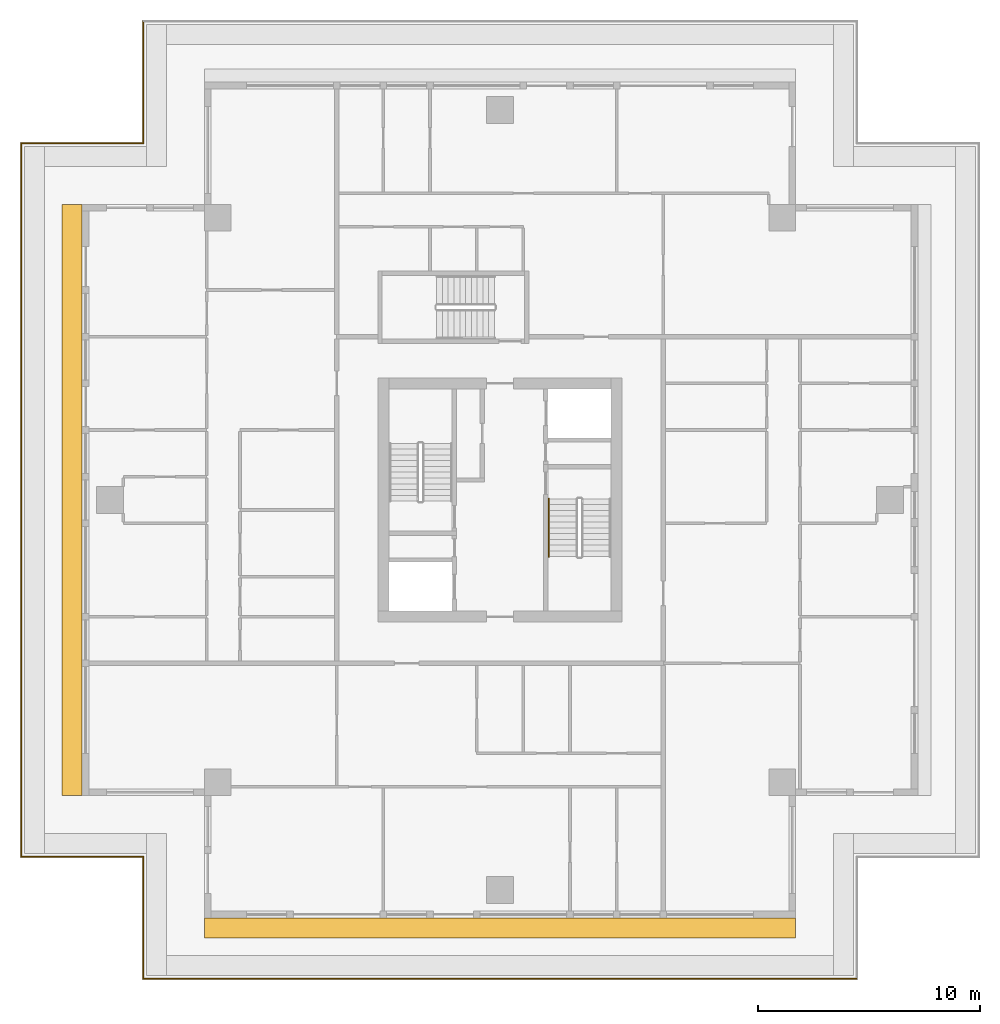
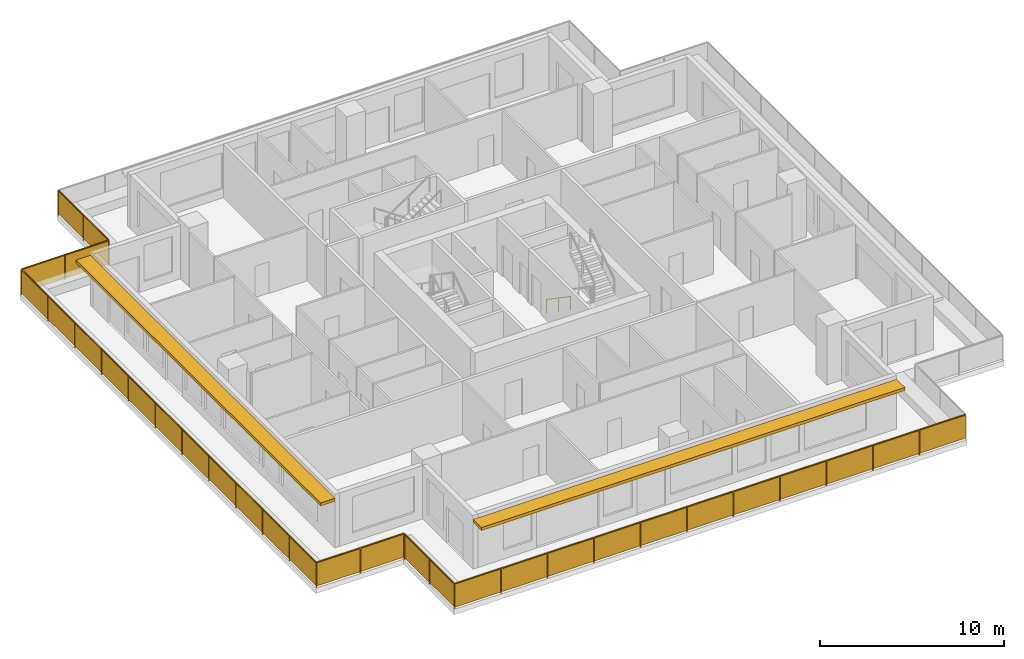
# One storey, part 8 of 10: 3 railings, 2 shading devices.
"""IFC4 building model written with IfcOpenShell, lengths in metres."""

from ifc_helpers import new_model, si_unit, direction, frame, origin, origin_2d, place, context, subcontext, project, spatial, polyline, rectangle, outline, extrude, material, layer, layer_set, type_object, element, save


model = new_model("IFC4")

# Units and contexts
model_context = context("Model", 3, precision=1e-05, world=origin(), true_north=direction((0.0, 1.0)))
body_context = subcontext(model_context, "Body", "Model", "MODEL_VIEW")
ifc_project = project(units=[si_unit("LENGTHUNIT", "METRE"), si_unit("AREAUNIT", "SQUARE_METRE"), si_unit("VOLUMEUNIT", "CUBIC_METRE"), si_unit("PLANEANGLEUNIT", "RADIAN"), si_unit("MASSUNIT", "GRAM", prefix="KILO")], contexts=[model_context])

# Site, building, storey
site_placement = place(None, origin())
site = spatial("IfcSite", under=ifc_project, at=site_placement, CompositionType="ELEMENT")
building_placement = place(site_placement, origin())
building = spatial("IfcBuilding", under=site, at=building_placement, Name="Khepri Terraces", CompositionType="ELEMENT")
storey_placement = place(building_placement, frame((0.0, 0.0, 300.60009765625)))
storey = spatial("IfcBuildingStorey", under=building, at=storey_placement, Name="L72", CompositionType="ELEMENT", Elevation=300.60009765625)

# Railings
ifc_material_1 = material(Name="Stainless steel grade 316", Category="steel")
railing_type_1 = type_object("IfcRailingType", Name="GRD-TERR-1700", PredefinedType="GUARDRAIL", material=ifc_material_1)
railing_1_placement = place(storey_placement, frame((-16.050048828125, -16.050048828125, 0.0)))
element("IfcRailing", 1, at=railing_1_placement, inside=storey, type_object=railing_type_1, Name="Terrace guard L72", PredefinedType="GUARDRAIL", context=body_context, shape_type="SweptSolid", body=[
    extrude(rectangle(XDim=0.050048828125, YDim=0.06005859375, at=origin_2d()), frame((0.0, 0.0, 1.669921875), z_axis=(-1.0, 0.0, 0.0), x_axis=(0.0, -1.0, 0.0)), (0.0, 0.0, 1.0), 5.5),
    extrude(rectangle(XDim=2.699951171875, YDim=0.011962890625, at=origin_2d()), frame((-1.375, 0.0, 0.10009765625), z_axis=(0.0, 0.0, 1.0), x_axis=(-1.0, 0.0, 0.0)), (0.0, 0.0, 1.0), 1.539794921875),
    extrude(rectangle(XDim=2.699951171875, YDim=0.011962890625, at=origin_2d()), frame((-4.125, 0.0, 0.10009765625), z_axis=(0.0, 0.0, 1.0), x_axis=(-1.0, 0.0, 0.0)), (0.0, 0.0, 1.0), 1.539794921875),
    extrude(rectangle(XDim=0.050048828125, YDim=0.06005859375, at=origin_2d()), frame((-5.5, 0.0, 1.669921875), z_axis=(0.0, 1.0, 0.0), x_axis=(-1.0, 0.0, 0.0)), (0.0, 0.0, 1.0), 32.10009765625),
    extrude(rectangle(XDim=2.8681640625, YDim=0.011962890625, at=origin_2d()), frame((-5.5, 1.458984375, 0.10009765625), z_axis=(0.0, 0.0, 1.0), x_axis=(0.0, 1.0, 0.0)), (0.0, 0.0, 1.0), 1.539794921875),
    extrude(rectangle(XDim=2.8681640625, YDim=0.011962890625, at=origin_2d()), frame((-5.5, 4.377197265625, 0.10009765625), z_axis=(0.0, 0.0, 1.0), x_axis=(0.0, 1.0, 0.0)), (0.0, 0.0, 1.0), 1.539794921875),
    extrude(rectangle(XDim=2.8681640625, YDim=0.011962890625, at=origin_2d()), frame((-5.5, 7.29541015625, 0.10009765625), z_axis=(0.0, 0.0, 1.0), x_axis=(0.0, 1.0, 0.0)), (0.0, 0.0, 1.0), 1.539794921875),
    extrude(rectangle(XDim=2.8681640625, YDim=0.011962890625, at=origin_2d()), frame((-5.5, 10.213623046875, 0.10009765625), z_axis=(0.0, 0.0, 1.0), x_axis=(0.0, 1.0, 0.0)), (0.0, 0.0, 1.0), 1.539794921875),
    extrude(rectangle(XDim=2.8681640625, YDim=0.011962890625, at=origin_2d()), frame((-5.5, 13.1318359375, 0.10009765625), z_axis=(0.0, 0.0, 1.0), x_axis=(0.0, 1.0, 0.0)), (0.0, 0.0, 1.0), 1.539794921875),
    extrude(rectangle(XDim=2.8681640625, YDim=0.011962890625, at=origin_2d()), frame((-5.5, 16.050048828125, 0.10009765625), z_axis=(0.0, 0.0, 1.0), x_axis=(0.0, 1.0, 0.0)), (0.0, 0.0, 1.0), 1.539794921875),
    extrude(rectangle(XDim=2.8681640625, YDim=0.011962890625, at=origin_2d()), frame((-5.5, 18.96826171875, 0.10009765625), z_axis=(0.0, 0.0, 1.0), x_axis=(0.0, 1.0, 0.0)), (0.0, 0.0, 1.0), 1.539794921875),
    extrude(rectangle(XDim=2.8681640625, YDim=0.011962890625, at=origin_2d()), frame((-5.5, 21.886474609375, 0.10009765625), z_axis=(0.0, 0.0, 1.0), x_axis=(0.0, 1.0, 0.0)), (0.0, 0.0, 1.0), 1.539794921875),
    extrude(rectangle(XDim=2.8681640625, YDim=0.011962890625, at=origin_2d()), frame((-5.5, 24.8046875, 0.10009765625), z_axis=(0.0, 0.0, 1.0), x_axis=(0.0, 1.0, 0.0)), (0.0, 0.0, 1.0), 1.539794921875),
    extrude(rectangle(XDim=2.8681640625, YDim=0.011962890625, at=origin_2d()), frame((-5.5, 27.722900390625, 0.10009765625), z_axis=(0.0, 0.0, 1.0), x_axis=(0.0, 1.0, 0.0)), (0.0, 0.0, 1.0), 1.539794921875),
    extrude(rectangle(XDim=2.8681640625, YDim=0.011962890625, at=origin_2d()), frame((-5.5, 30.64111328125, 0.10009765625), z_axis=(0.0, 0.0, 1.0), x_axis=(0.0, 1.0, 0.0)), (0.0, 0.0, 1.0), 1.539794921875),
    extrude(rectangle(XDim=0.050048828125, YDim=0.06005859375, at=origin_2d()), frame((-5.5, 32.10009765625, 1.669921875), z_axis=(1.0, 0.0, 0.0), x_axis=(0.0, 1.0, 0.0)), (0.0, 0.0, 1.0), 5.5),
    extrude(rectangle(XDim=2.699951171875, YDim=0.011962890625, at=origin_2d()), frame((-4.125, 32.10009765625, 0.10009765625), z_axis=(0.0, 0.0, 1.0), x_axis=(1.0, 0.0, 0.0)), (0.0, 0.0, 1.0), 1.539794921875),
    extrude(rectangle(XDim=2.699951171875, YDim=0.011962890625, at=origin_2d()), frame((-1.375, 32.10009765625, 0.10009765625), z_axis=(0.0, 0.0, 1.0), x_axis=(1.0, 0.0, 0.0)), (0.0, 0.0, 1.0), 1.539794921875),
    extrude(rectangle(XDim=0.050048828125, YDim=0.06005859375, at=origin_2d()), frame((0.0, 32.10009765625, 1.669921875), z_axis=(0.0, 1.0, 0.0), x_axis=(-1.0, 0.0, 0.0)), (0.0, 0.0, 1.0), 5.5),
    extrude(rectangle(XDim=2.699951171875, YDim=0.011962890625, at=origin_2d()), frame((0.0, 33.47509765625, 0.10009765625), z_axis=(0.0, 0.0, 1.0), x_axis=(0.0, 1.0, 0.0)), (0.0, 0.0, 1.0), 1.539794921875),
    extrude(rectangle(XDim=2.699951171875, YDim=0.011962890625, at=origin_2d()), frame((0.0, 36.22509765625, 0.10009765625), z_axis=(0.0, 0.0, 1.0), x_axis=(0.0, 1.0, 0.0)), (0.0, 0.0, 1.0), 1.539794921875),
    extrude(rectangle(XDim=0.050048828125, YDim=0.050048828125, at=origin_2d()), origin(), (0.0, 0.0, 1.0), 1.639892578125),
    extrude(rectangle(XDim=0.050048828125, YDim=0.050048828125, at=origin_2d()), frame((-2.75, 0.0, 0.0)), (0.0, 0.0, 1.0), 1.639892578125),
    extrude(rectangle(XDim=0.050048828125, YDim=0.050048828125, at=origin_2d()), frame((-5.5, 0.0, 0.0)), (0.0, 0.0, 1.0), 1.639892578125),
    extrude(rectangle(XDim=0.050048828125, YDim=0.050048828125, at=origin_2d()), frame((-5.5, 2.918212890625, 0.0)), (0.0, 0.0, 1.0), 1.639892578125),
    extrude(rectangle(XDim=0.050048828125, YDim=0.050048828125, at=origin_2d()), frame((-5.5, 5.83642578125, 0.0)), (0.0, 0.0, 1.0), 1.639892578125),
    extrude(rectangle(XDim=0.050048828125, YDim=0.050048828125, at=origin_2d()), frame((-5.5, 8.754638671875, 0.0)), (0.0, 0.0, 1.0), 1.639892578125),
    extrude(rectangle(XDim=0.050048828125, YDim=0.050048828125, at=origin_2d()), frame((-5.5, 11.6728515625, 0.0)), (0.0, 0.0, 1.0), 1.639892578125),
    extrude(rectangle(XDim=0.050048828125, YDim=0.050048828125, at=origin_2d()), frame((-5.5, 14.591064453125, 0.0)), (0.0, 0.0, 1.0), 1.639892578125),
    extrude(rectangle(XDim=0.050048828125, YDim=0.050048828125, at=origin_2d()), frame((-5.5, 17.509033203125, 0.0)), (0.0, 0.0, 1.0), 1.639892578125),
    extrude(rectangle(XDim=0.050048828125, YDim=0.050048828125, at=origin_2d()), frame((-5.5, 20.42724609375, 0.0)), (0.0, 0.0, 1.0), 1.639892578125),
    extrude(rectangle(XDim=0.050048828125, YDim=0.050048828125, at=origin_2d()), frame((-5.5, 23.345458984375, 0.0)), (0.0, 0.0, 1.0), 1.639892578125),
    extrude(rectangle(XDim=0.050048828125, YDim=0.050048828125, at=origin_2d()), frame((-5.5, 26.263671875, 0.0)), (0.0, 0.0, 1.0), 1.639892578125),
    extrude(rectangle(XDim=0.050048828125, YDim=0.050048828125, at=origin_2d()), frame((-5.5, 29.181884765625, 0.0)), (0.0, 0.0, 1.0), 1.639892578125),
    extrude(rectangle(XDim=0.050048828125, YDim=0.050048828125, at=origin_2d()), frame((-5.5, 32.10009765625, 0.0)), (0.0, 0.0, 1.0), 1.639892578125),
    extrude(rectangle(XDim=0.050048828125, YDim=0.050048828125, at=origin_2d()), frame((-2.75, 32.10009765625, 0.0)), (0.0, 0.0, 1.0), 1.639892578125),
    extrude(rectangle(XDim=0.050048828125, YDim=0.050048828125, at=origin_2d()), frame((0.0, 32.10009765625, 0.0)), (0.0, 0.0, 1.0), 1.639892578125),
    extrude(rectangle(XDim=0.050048828125, YDim=0.050048828125, at=origin_2d()), frame((0.0, 34.85009765625, 0.0)), (0.0, 0.0, 1.0), 1.639892578125),
    extrude(rectangle(XDim=0.050048828125, YDim=0.050048828125, at=origin_2d()), frame((0.0, 37.60009765625, 0.0)), (0.0, 0.0, 1.0), 1.639892578125),
])
railing_2_placement = place(storey_placement, frame((16.050048828125, -21.550048828125, 0.0)))
element("IfcRailing", 2, at=railing_2_placement, inside=storey, type_object=railing_type_1, Name="Terrace guard L72", PredefinedType="GUARDRAIL", context=body_context, shape_type="SweptSolid", body=[
    extrude(rectangle(XDim=0.050048828125, YDim=0.06005859375, at=origin_2d()), frame((0.0, 0.0, 1.669921875), z_axis=(-1.0, 0.0, 0.0), x_axis=(0.0, -1.0, 0.0)), (0.0, 0.0, 1.0), 32.10009765625),
    extrude(rectangle(XDim=2.8681640625, YDim=0.011962890625, at=origin_2d()), frame((-1.458984375, 0.0, 0.10009765625), z_axis=(0.0, 0.0, 1.0), x_axis=(-1.0, 0.0, 0.0)), (0.0, 0.0, 1.0), 1.539794921875),
    extrude(rectangle(XDim=2.8681640625, YDim=0.011962890625, at=origin_2d()), frame((-4.377197265625, 0.0, 0.10009765625), z_axis=(0.0, 0.0, 1.0), x_axis=(-1.0, 0.0, 0.0)), (0.0, 0.0, 1.0), 1.539794921875),
    extrude(rectangle(XDim=2.8681640625, YDim=0.011962890625, at=origin_2d()), frame((-7.29541015625, 0.0, 0.10009765625), z_axis=(0.0, 0.0, 1.0), x_axis=(-1.0, 0.0, 0.0)), (0.0, 0.0, 1.0), 1.539794921875),
    extrude(rectangle(XDim=2.8681640625, YDim=0.011962890625, at=origin_2d()), frame((-10.213623046875, 0.0, 0.10009765625), z_axis=(0.0, 0.0, 1.0), x_axis=(-1.0, 0.0, 0.0)), (0.0, 0.0, 1.0), 1.539794921875),
    extrude(rectangle(XDim=2.8681640625, YDim=0.011962890625, at=origin_2d()), frame((-13.1318359375, 0.0, 0.10009765625), z_axis=(0.0, 0.0, 1.0), x_axis=(-1.0, 0.0, 0.0)), (0.0, 0.0, 1.0), 1.539794921875),
    extrude(rectangle(XDim=2.8681640625, YDim=0.011962890625, at=origin_2d()), frame((-16.050048828125, 0.0, 0.10009765625), z_axis=(0.0, 0.0, 1.0), x_axis=(-1.0, 0.0, 0.0)), (0.0, 0.0, 1.0), 1.539794921875),
    extrude(rectangle(XDim=2.8681640625, YDim=0.011962890625, at=origin_2d()), frame((-18.96826171875, 0.0, 0.10009765625), z_axis=(0.0, 0.0, 1.0), x_axis=(-1.0, 0.0, 0.0)), (0.0, 0.0, 1.0), 1.539794921875),
    extrude(rectangle(XDim=2.8681640625, YDim=0.011962890625, at=origin_2d()), frame((-21.886474609375, 0.0, 0.10009765625), z_axis=(0.0, 0.0, 1.0), x_axis=(-1.0, 0.0, 0.0)), (0.0, 0.0, 1.0), 1.539794921875),
    extrude(rectangle(XDim=2.8681640625, YDim=0.011962890625, at=origin_2d()), frame((-24.8046875, 0.0, 0.10009765625), z_axis=(0.0, 0.0, 1.0), x_axis=(-1.0, 0.0, 0.0)), (0.0, 0.0, 1.0), 1.539794921875),
    extrude(rectangle(XDim=2.8681640625, YDim=0.011962890625, at=origin_2d()), frame((-27.722900390625, 0.0, 0.10009765625), z_axis=(0.0, 0.0, 1.0), x_axis=(-1.0, 0.0, 0.0)), (0.0, 0.0, 1.0), 1.539794921875),
    extrude(rectangle(XDim=2.8681640625, YDim=0.011962890625, at=origin_2d()), frame((-30.64111328125, 0.0, 0.10009765625), z_axis=(0.0, 0.0, 1.0), x_axis=(-1.0, 0.0, 0.0)), (0.0, 0.0, 1.0), 1.539794921875),
    extrude(rectangle(XDim=0.050048828125, YDim=0.06005859375, at=origin_2d()), frame((-32.10009765625, 0.0, 1.669921875), z_axis=(0.0, 1.0, 0.0), x_axis=(-1.0, 0.0, 0.0)), (0.0, 0.0, 1.0), 5.420166015625),
    extrude(rectangle(XDim=2.66015625, YDim=0.011962890625, at=origin_2d()), frame((-32.10009765625, 1.35498046875, 0.10009765625), z_axis=(0.0, 0.0, 1.0), x_axis=(0.0, 1.0, 0.0)), (0.0, 0.0, 1.0), 1.539794921875),
    extrude(rectangle(XDim=2.66015625, YDim=0.011962890625, at=origin_2d()), frame((-32.10009765625, 4.065185546875, 0.10009765625), z_axis=(0.0, 0.0, 1.0), x_axis=(0.0, 1.0, 0.0)), (0.0, 0.0, 1.0), 1.539794921875),
    extrude(rectangle(XDim=0.050048828125, YDim=0.050048828125, at=origin_2d()), frame((-2.918212890625, 0.0, 0.0)), (0.0, 0.0, 1.0), 1.639892578125),
    extrude(rectangle(XDim=0.050048828125, YDim=0.050048828125, at=origin_2d()), frame((-5.83642578125, 0.0, 0.0)), (0.0, 0.0, 1.0), 1.639892578125),
    extrude(rectangle(XDim=0.050048828125, YDim=0.050048828125, at=origin_2d()), frame((-8.754638671875, 0.0, 0.0)), (0.0, 0.0, 1.0), 1.639892578125),
    extrude(rectangle(XDim=0.050048828125, YDim=0.050048828125, at=origin_2d()), frame((-11.6728515625, 0.0, 0.0)), (0.0, 0.0, 1.0), 1.639892578125),
    extrude(rectangle(XDim=0.050048828125, YDim=0.050048828125, at=origin_2d()), frame((-14.591064453125, 0.0, 0.0)), (0.0, 0.0, 1.0), 1.639892578125),
    extrude(rectangle(XDim=0.050048828125, YDim=0.050048828125, at=origin_2d()), frame((-17.509033203125, 0.0, 0.0)), (0.0, 0.0, 1.0), 1.639892578125),
    extrude(rectangle(XDim=0.050048828125, YDim=0.050048828125, at=origin_2d()), frame((-20.42724609375, 0.0, 0.0)), (0.0, 0.0, 1.0), 1.639892578125),
    extrude(rectangle(XDim=0.050048828125, YDim=0.050048828125, at=origin_2d()), frame((-23.345458984375, 0.0, 0.0)), (0.0, 0.0, 1.0), 1.639892578125),
    extrude(rectangle(XDim=0.050048828125, YDim=0.050048828125, at=origin_2d()), frame((-26.263671875, 0.0, 0.0)), (0.0, 0.0, 1.0), 1.639892578125),
    extrude(rectangle(XDim=0.050048828125, YDim=0.050048828125, at=origin_2d()), frame((-29.181884765625, 0.0, 0.0)), (0.0, 0.0, 1.0), 1.639892578125),
    extrude(rectangle(XDim=0.050048828125, YDim=0.050048828125, at=origin_2d()), frame((-32.10009765625, 0.0, 0.0)), (0.0, 0.0, 1.0), 1.639892578125),
    extrude(rectangle(XDim=0.050048828125, YDim=0.050048828125, at=origin_2d()), frame((-32.10009765625, 2.7099609375, 0.0)), (0.0, 0.0, 1.0), 1.639892578125),
    extrude(rectangle(XDim=0.050048828125, YDim=0.050048828125, at=origin_2d()), frame((-32.10009765625, 5.420166015625, 0.0)), (0.0, 0.0, 1.0), 1.639892578125),
])
ifc_material_2 = material(Name="Stainless steel 316", Category="steel")
railing_type_2 = type_object("IfcRailingType", Name="RL-CORE-HANDRAIL", PredefinedType="HANDRAIL", material=ifc_material_2)
railing_3_placement = place(storey_placement, frame((2.199951171875, 0.050048828125, 0.17724609375)))
element("IfcRailing", 3, at=railing_3_placement, inside=storey, type_object=railing_type_2, Name="L72 ST-2 stair handrail 1", PredefinedType="HANDRAIL", context=body_context, shape_type="SweptSolid", body=[
    extrude(rectangle(XDim=0.050048828125, YDim=0.050048828125, at=origin_2d()), frame((0.0, 0.0, 0.875), z_axis=(0.0, -0.826240473404, 0.563317565952), x_axis=(1.0, 0.0, 0.0)), (0.0, 0.0, 1.0), 3.14697265625),
    extrude(rectangle(XDim=0.050048828125, YDim=0.050048828125, at=origin_2d()), origin(), (0.0, 0.0, 1.0), 0.849853515625),
    extrude(rectangle(XDim=0.050048828125, YDim=0.050048828125, at=origin_2d()), frame((0.0, -1.300048828125, 0.88623046875)), (0.0, 0.0, 1.0), 0.849853515625),
    extrude(rectangle(XDim=0.050048828125, YDim=0.050048828125, at=origin_2d()), frame((0.0, -2.60009765625, 1.772705078125)), (0.0, 0.0, 1.0), 0.849853515625),
])

# Shading devices
ifc_material_3 = material(Name="Precast concrete C50/60 warm stone", Category="masonry")
ifc_layer = layer(ifc_material_3, 0.199951171875, Name="Precast concrete C50/60 warm stone", Category="masonry")
ifc_layer_set = layer_set([ifc_layer], Name="Precast concrete C50/60 warm stone")
shading_device_type = type_object("IfcShadingDeviceType", Name="SSH-BAND-STONE-200", PredefinedType="USERDEFINED", material=ifc_layer_set)
shading_device_1_placement = place(storey_placement, frame((0.0, 0.0, 3.099853515625)))
element("IfcShadingDevice", 4, at=shading_device_1_placement, inside=storey, type_object=shading_device_type, Name="Sunshade band L72 S", ObjectType="SUNSHADE", PredefinedType="USERDEFINED", context=body_context, shape_type="SweptSolid", body=[
    extrude(outline(polyline([(13.300048828125, -18.800048828125), (-13.300048828125, -18.800048828125), (-13.300048828125, -19.699951171875), (13.300048828125, -19.699951171875), (13.300048828125, -18.800048828125)])), origin(), (0.0, 0.0, 1.0), 0.199951171875),
])
shading_device_2_placement = place(storey_placement, frame((0.0, 0.0, 3.099853515625)))
element("IfcShadingDevice", 5, at=shading_device_2_placement, inside=storey, type_object=shading_device_type, Name="Sunshade band L72 W", ObjectType="SUNSHADE", PredefinedType="USERDEFINED", context=body_context, shape_type="SweptSolid", body=[
    extrude(outline(polyline([(-18.800048828125, -13.300048828125), (-18.800048828125, 13.300048828125), (-19.699951171875, 13.300048828125), (-19.699951171875, -13.300048828125), (-18.800048828125, -13.300048828125)])), origin(), (0.0, 0.0, 1.0), 0.199951171875),
])

save(model, "model.ifc")
